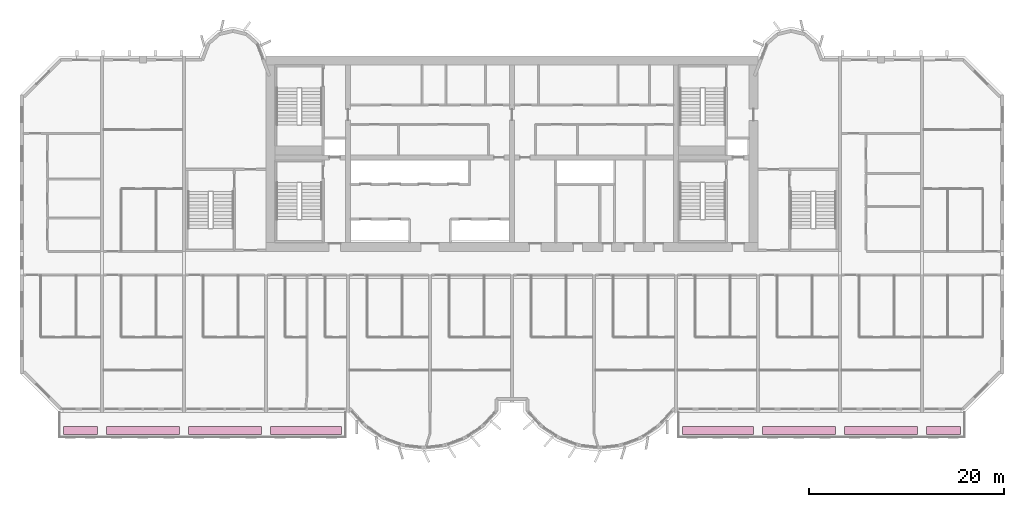
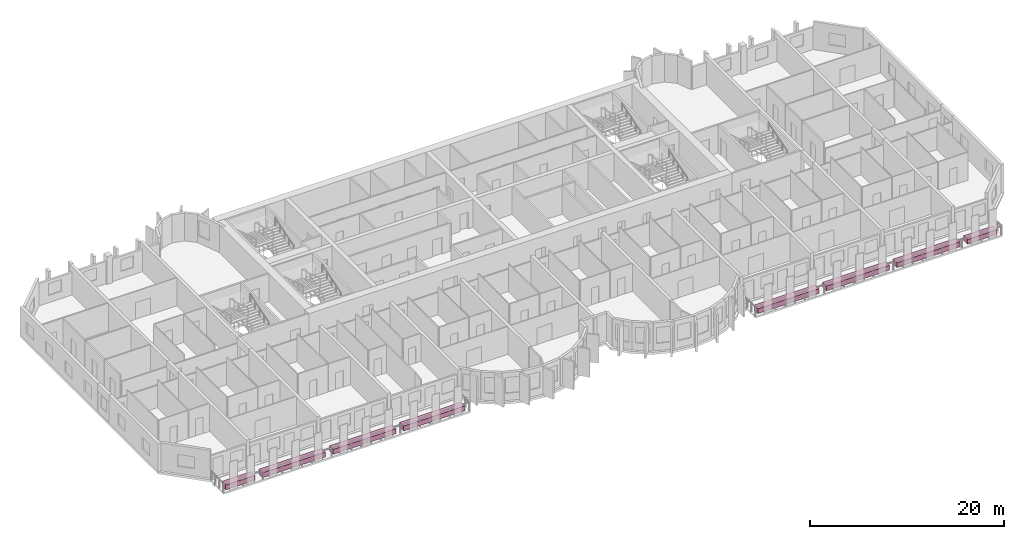
# One storey, part 15 of 15: 8 furniture elements.
"""IFC4 building model written with IfcOpenShell, lengths in metres."""

from ifc_helpers import new_model, si_unit, direction, frame, origin, origin_2d, place, context, subcontext, project, spatial, rectangle, extrude, source, transform, mapped, material, type_object, element, save


model = new_model("IFC4")

# Units and contexts
model_context = context("Model", 3, precision=1e-05, world=origin(), true_north=direction((0.0, 1.0)))
body_context = subcontext(model_context, "Body", "Model", "MODEL_VIEW")
ifc_project = project(units=[si_unit("LENGTHUNIT", "METRE"), si_unit("AREAUNIT", "SQUARE_METRE"), si_unit("VOLUMEUNIT", "CUBIC_METRE"), si_unit("PLANEANGLEUNIT", "RADIAN"), si_unit("MASSUNIT", "GRAM", prefix="KILO")], contexts=[model_context])

# Site, building, storey
site_placement = place(None, origin())
site = spatial("IfcSite", under=ifc_project, at=site_placement, CompositionType="ELEMENT")
building_placement = place(site_placement, origin())
building = spatial("IfcBuilding", under=site, at=building_placement, Name="Vanashikhar Sky Hotel", CompositionType="ELEMENT")
storey_placement = place(building_placement, frame((0.0, 0.0, 133.199951171875)))
storey = spatial("IfcBuildingStorey", under=building, at=storey_placement, Name="L32", CompositionType="ELEMENT", Elevation=133.199951171875)

# Furniture
ifc_material = material(Name="Planting soil and shrubs")
furniture_type = type_object("IfcFurnitureType", Name="Planter trough", AssemblyPlace="NOTDEFINED", PredefinedType="USERDEFINED", material=ifc_material)
shared_shape_1 = source(origin(), body_context, "Body", "SweptSolid", [
    extrude(rectangle(XDim=3.5, YDim=0.800048828125, at=origin_2d()), origin(), (0.0, 0.0, 1.0), 0.60009765625),
])
for number, where, z_axis, x_axis, name in (
    (1, (6.199951171875, 3.64990234375, -0.050048828125), (0.0, 0.0, 1.0), (1.0, 0.0, 0.0), "PLANTER with climbers"),
    (2, (94.60009765625, 3.64990234375, -0.050048828125), (0.0, 0.0, 1.0), (1.0, 0.0, 0.0), "PLANTER with climbers"),
):
    element("IfcFurniture", number, at=place(storey_placement, frame(where, z_axis=z_axis, x_axis=x_axis)), inside=storey, type_object=furniture_type, Name=name, ObjectType="PLANTER", PredefinedType="USERDEFINED", context=body_context, shape_type="MappedRepresentation", body=[
        mapped(shared_shape_1, transform((0.0, 0.0, 0.0), scale=1.0)),
    ])
shared_shape_2 = source(origin(), body_context, "Body", "SweptSolid", [
    extrude(rectangle(XDim=7.5, YDim=0.800048828125, at=origin_2d()), origin(), (0.0, 0.0, 1.0), 0.60009765625),
])
for number, where, z_axis, x_axis, name in (
    (3, (12.60009765625, 3.64990234375, -0.050048828125), (0.0, 0.0, 1.0), (1.0, 0.0, 0.0), "PLANTER with climbers"),
    (4, (21.0, 3.64990234375, -0.050048828125), (0.0, 0.0, 1.0), (1.0, 0.0, 0.0), "PLANTER with climbers"),
    (5, (79.800048828125, 3.64990234375, -0.050048828125), (0.0, 0.0, 1.0), (1.0, 0.0, 0.0), "PLANTER with climbers"),
    (6, (88.199951171875, 3.64990234375, -0.050048828125), (0.0, 0.0, 1.0), (1.0, 0.0, 0.0), "PLANTER with climbers"),
):
    element("IfcFurniture", number, at=place(storey_placement, frame(where, z_axis=z_axis, x_axis=x_axis)), inside=storey, type_object=furniture_type, Name=name, ObjectType="PLANTER", PredefinedType="USERDEFINED", context=body_context, shape_type="MappedRepresentation", body=[
        mapped(shared_shape_2, transform((0.0, 0.0, 0.0), scale=1.0)),
    ])
shared_shape_3 = source(origin(), body_context, "Body", "SweptSolid", [
    extrude(rectangle(XDim=7.300048828125, YDim=0.800048828125, at=origin_2d()), origin(), (0.0, 0.0, 1.0), 0.60009765625),
])
for number, where, z_axis, x_axis, name in (
    (7, (29.300048828125, 3.64990234375, -0.050048828125), (0.0, 0.0, 1.0), (1.0, 0.0, 0.0), "PLANTER with climbers"),
    (8, (71.5, 3.64990234375, -0.050048828125), (0.0, 0.0, 1.0), (1.0, 0.0, 0.0), "PLANTER with climbers"),
):
    element("IfcFurniture", number, at=place(storey_placement, frame(where, z_axis=z_axis, x_axis=x_axis)), inside=storey, type_object=furniture_type, Name=name, ObjectType="PLANTER", PredefinedType="USERDEFINED", context=body_context, shape_type="MappedRepresentation", body=[
        mapped(shared_shape_3, transform((0.0, 0.0, 0.0), scale=1.0)),
    ])

save(model, "model.ifc")
